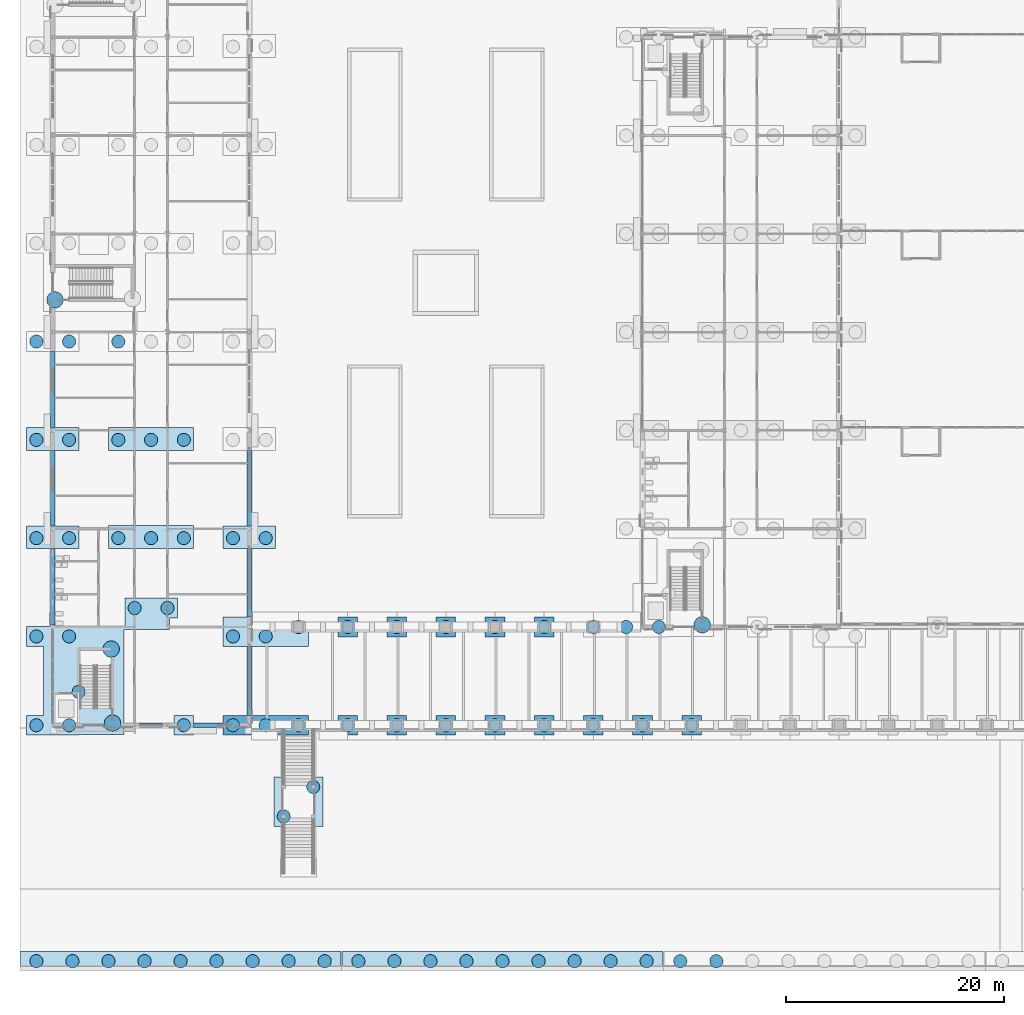
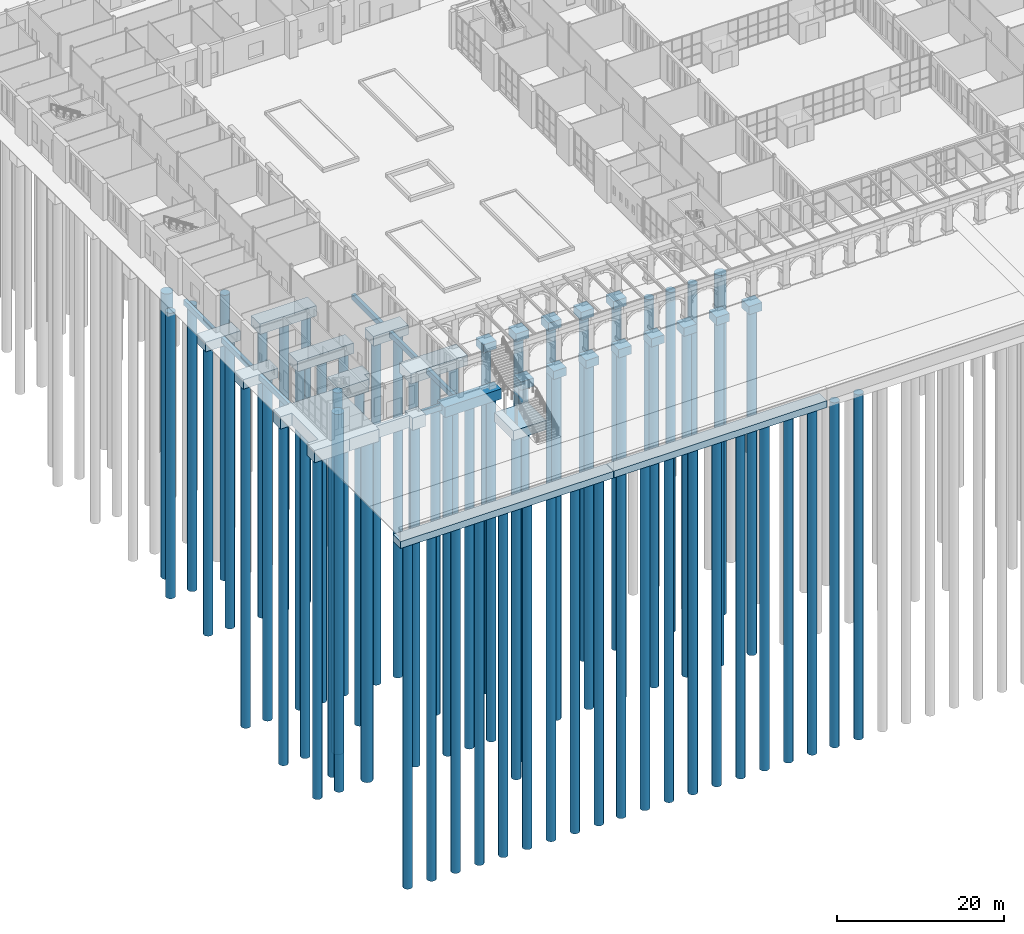
# One storey, part 1 of 168: 71 piles, 31 footings.
"""IFC4 building model written with IfcOpenShell, lengths in metres."""

from ifc_helpers import new_model, si_unit, direction, frame, origin, origin_2d, place, context, subcontext, project, spatial, polyline, circle, outline, extrude, material, material_profile, profile_set, type_object, element, save


model = new_model("IFC4")

# Units and contexts
model_context = context("Model", 3, precision=1e-05, world=origin(), true_north=direction((0.0, 1.0)))
body_context = subcontext(model_context, "Body", "Model", "MODEL_VIEW")
ifc_project = project(units=[si_unit("LENGTHUNIT", "METRE"), si_unit("AREAUNIT", "SQUARE_METRE"), si_unit("VOLUMEUNIT", "CUBIC_METRE"), si_unit("PLANEANGLEUNIT", "RADIAN"), si_unit("MASSUNIT", "GRAM", prefix="KILO")], contexts=[model_context])

# Site, building, storey
site_placement = place(None, origin())
site = spatial("IfcSite", under=ifc_project, at=site_placement, CompositionType="ELEMENT")
building_placement = place(site_placement, origin())
building = spatial("IfcBuilding", under=site, at=building_placement, Name="Golden Quay Civic Hall", CompositionType="ELEMENT")
storey_placement = place(building_placement, origin())
storey = spatial("IfcBuildingStorey", under=building, at=storey_placement, Name="L00", CompositionType="ELEMENT", Elevation=0.0)

# Piles
ifc_material_1 = material(Name="Concrete C40/50", Category="concrete")
ifc_material_profile_1 = material_profile(ifc_material_1, circle(Radius=0.60009765625, at=origin_2d()), Name="RC D1200")
ifc_profile_set_1 = profile_set([ifc_material_profile_1], Name="Concrete C40/50")
pile_type_1 = type_object("IfcPileType", Name="Bored pile 1200", PredefinedType="BORED", material=ifc_profile_set_1)
for number, where, z_axis, x_axis, name in (
    (1, (-1.5, -9.0, -2.300048828125), (0.0, 0.0, -1.0), (1.0, 0.0, 0.0), "PL1 bored pile"),
    (2, (-1.5, -0.865966796875, -2.300048828125), (0.0, 0.0, -1.0), (1.0, 0.0, 0.0), "PL1 bored pile"),
    (3, (1.5, -9.0, -2.300048828125), (0.0, 0.0, -1.0), (1.0, 0.0, 0.0), "PL1 bored pile"),
    (4, (1.5, -0.865966796875, -2.300048828125), (0.0, 0.0, -1.0), (1.0, 0.0, 0.0), "PL1 bored pile"),
    (5, (2.375, -5.949951171875, -2.300048828125), (0.0, 0.0, -1.0), (1.0, 0.0, 0.0), "PL1 bored pile"),
    (6, (7.5, 1.73193359375, -2.300048828125), (0.0, 0.0, -1.0), (1.0, 0.0, 0.0), "PL1 bored pile"),
    (7, (10.5, 1.73193359375, -2.300048828125), (0.0, 0.0, -1.0), (1.0, 0.0, 0.0), "PL1 bored pile"),
    (8, (12.0, -9.0, -2.300048828125), (0.0, 0.0, -1.0), (1.0, 0.0, 0.0), "PL1 bored pile"),
):
    element("IfcPile", number, at=place(storey_placement, frame(where, z_axis=z_axis, x_axis=x_axis)), inside=storey, type_object=pile_type_1, Name=name, PredefinedType="BORED", context=body_context, shape_type="SweptSolid", body=[
        extrude(circle(Radius=0.60009765625, at=origin_2d()), origin(), (0.0, 0.0, 1.0), 49.699951171875),
    ])
for number, where, z_axis, x_axis, name in (
    (9, (-1.5, 8.134033203125, -1.89990234375), (0.0, 0.0, -1.0), (1.0, 0.0, 0.0), "PL1 bored pile"),
    (10, (1.5, 8.134033203125, -1.89990234375), (0.0, 0.0, -1.0), (1.0, 0.0, 0.0), "PL1 bored pile"),
):
    element("IfcPile", number, at=place(storey_placement, frame(where, z_axis=z_axis, x_axis=x_axis)), inside=storey, type_object=pile_type_1, Name=name, PredefinedType="BORED", context=body_context, shape_type="SweptSolid", body=[
        extrude(circle(Radius=0.60009765625, at=origin_2d()), origin(), (0.0, 0.0, 1.0), 50.10009765625),
    ])
for number, where, z_axis, x_axis, name in (
    (11, (-1.5, 17.134033203125, -1.89990234375), (0.0, 0.0, -1.0), (1.0, 0.0, 0.0), "PL1 bored pile"),
    (12, (1.5, 17.134033203125, -1.89990234375), (0.0, 0.0, -1.0), (1.0, 0.0, 0.0), "PL1 bored pile"),
):
    element("IfcPile", number, at=place(storey_placement, frame(where, z_axis=z_axis, x_axis=x_axis)), inside=storey, type_object=pile_type_1, Name=name, PredefinedType="BORED", context=body_context, shape_type="SweptSolid", body=[
        extrude(circle(Radius=0.60009765625, at=origin_2d()), origin(), (0.0, 0.0, 1.0), 42.10009765625),
    ])
for number, where, z_axis, x_axis, name in (
    (13, (-1.5, 26.134033203125, -2.300048828125), (0.0, 0.0, -1.0), (1.0, 0.0, 0.0), "PL1 bored pile"),
    (14, (1.5, 26.134033203125, -2.300048828125), (0.0, 0.0, -1.0), (1.0, 0.0, 0.0), "PL1 bored pile"),
    (15, (6.0, 26.134033203125, -2.300048828125), (0.0, 0.0, -1.0), (1.0, 0.0, 0.0), "PL1 bored pile"),
):
    element("IfcPile", number, at=place(storey_placement, frame(where, z_axis=z_axis, x_axis=x_axis)), inside=storey, type_object=pile_type_1, Name=name, PredefinedType="BORED", context=body_context, shape_type="SweptSolid", body=[
        extrude(circle(Radius=0.60009765625, at=origin_2d()), origin(), (0.0, 0.0, 1.0), 41.699951171875),
    ])
for number, where, z_axis, x_axis, name in (
    (16, (6.0, 8.134033203125, -2.0), (0.0, 0.0, -1.0), (1.0, 0.0, 0.0), "PL1 bored pile"),
    (17, (9.0, 8.134033203125, -2.0), (0.0, 0.0, -1.0), (1.0, 0.0, 0.0), "PL1 bored pile"),
    (18, (12.0, 8.134033203125, -2.0), (0.0, 0.0, -1.0), (1.0, 0.0, 0.0), "PL1 bored pile"),
):
    element("IfcPile", number, at=place(storey_placement, frame(where, z_axis=z_axis, x_axis=x_axis)), inside=storey, type_object=pile_type_1, Name=name, PredefinedType="BORED", context=body_context, shape_type="SweptSolid", body=[
        extrude(circle(Radius=0.60009765625, at=origin_2d()), origin(), (0.0, 0.0, 1.0), 50.0),
    ])
for number, where, z_axis, x_axis, name in (
    (19, (6.0, 17.134033203125, -2.0), (0.0, 0.0, -1.0), (1.0, 0.0, 0.0), "PL1 bored pile"),
    (20, (9.0, 17.134033203125, -2.0), (0.0, 0.0, -1.0), (1.0, 0.0, 0.0), "PL1 bored pile"),
    (21, (12.0, 17.134033203125, -2.0), (0.0, 0.0, -1.0), (1.0, 0.0, 0.0), "PL1 bored pile"),
):
    element("IfcPile", number, at=place(storey_placement, frame(where, z_axis=z_axis, x_axis=x_axis)), inside=storey, type_object=pile_type_1, Name=name, PredefinedType="BORED", context=body_context, shape_type="SweptSolid", body=[
        extrude(circle(Radius=0.60009765625, at=origin_2d()), origin(), (0.0, 0.0, 1.0), 42.0),
    ])
for number, where, z_axis, x_axis, name in (
    (22, (16.5, -9.0, -2.0), (0.0, 0.0, -1.0), (1.0, 0.0, 0.0), "PL1 bored pile"),
    (23, (19.5, -9.0, -2.0), (0.0, 0.0, -1.0), (1.0, 0.0, 0.0), "PL1 bored pile"),
    (24, (22.5, -9.0, -2.0), (0.0, 0.0, -1.0), (1.0, 0.0, 0.0), "PL1 bored pile"),
    (25, (16.5, -0.865966796875, -2.0), (0.0, 0.0, -1.0), (1.0, 0.0, 0.0), "PL1 bored pile"),
    (26, (19.5, -0.865966796875, -2.0), (0.0, 0.0, -1.0), (1.0, 0.0, 0.0), "PL1 bored pile"),
    (27, (22.5, 0.0, -2.0), (0.0, 0.0, -1.0), (1.0, 0.0, 0.0), "PL1 bored pile"),
):
    element("IfcPile", number, at=place(storey_placement, frame(where, z_axis=z_axis, x_axis=x_axis)), inside=storey, type_object=pile_type_1, Name=name, PredefinedType="BORED", context=body_context, shape_type="SweptSolid", body=[
        extrude(circle(Radius=0.60009765625, at=origin_2d()), origin(), (0.0, 0.0, 1.0), 50.0),
    ])
for number, where, z_axis, x_axis, name in (
    (28, (16.5, 8.134033203125, -1.89990234375), (0.0, 0.0, -1.0), (1.0, 0.0, 0.0), "PL1 bored pile"),
    (29, (19.5, 8.134033203125, -1.89990234375), (0.0, 0.0, -1.0), (1.0, 0.0, 0.0), "PL1 bored pile"),
):
    element("IfcPile", number, at=place(storey_placement, frame(where, z_axis=z_axis, x_axis=x_axis)), inside=storey, type_object=pile_type_1, Name=name, PredefinedType="BORED", context=body_context, shape_type="SweptSolid", body=[
        extrude(circle(Radius=0.60009765625, at=origin_2d()), origin(), (0.0, 0.0, 1.0), 50.10009765625),
    ])
for number, where, z_axis, x_axis, name in (
    (30, (27.0, -9.0, -1.699951171875), (0.0, 0.0, -1.0), (1.0, 0.0, 0.0), "PL1 bored pile"),
    (31, (27.0, 0.0, -1.699951171875), (0.0, 0.0, -1.0), (1.0, 0.0, 0.0), "PL1 bored pile"),
    (32, (31.5, -9.0, -1.699951171875), (0.0, 0.0, -1.0), (1.0, 0.0, 0.0), "PL1 bored pile"),
    (33, (31.5, 0.0, -1.699951171875), (0.0, 0.0, -1.0), (1.0, 0.0, 0.0), "PL1 bored pile"),
    (34, (36.0, -9.0, -1.699951171875), (0.0, 0.0, -1.0), (1.0, 0.0, 0.0), "PL1 bored pile"),
    (35, (36.0, 0.0, -1.699951171875), (0.0, 0.0, -1.0), (1.0, 0.0, 0.0), "PL1 bored pile"),
    (36, (40.5, -9.0, -1.699951171875), (0.0, 0.0, -1.0), (1.0, 0.0, 0.0), "PL1 bored pile"),
    (37, (40.5, 0.0, -1.699951171875), (0.0, 0.0, -1.0), (1.0, 0.0, 0.0), "PL1 bored pile"),
    (38, (45.0, -9.0, -1.699951171875), (0.0, 0.0, -1.0), (1.0, 0.0, 0.0), "PL1 bored pile"),
    (39, (45.0, 0.0, -1.699951171875), (0.0, 0.0, -1.0), (1.0, 0.0, 0.0), "PL1 bored pile"),
    (40, (49.5, -9.0, -1.699951171875), (0.0, 0.0, -1.0), (1.0, 0.0, 0.0), "PL1 bored pile"),
):
    element("IfcPile", number, at=place(storey_placement, frame(where, z_axis=z_axis, x_axis=x_axis)), inside=storey, type_object=pile_type_1, Name=name, PredefinedType="BORED", context=body_context, shape_type="SweptSolid", body=[
        extrude(circle(Radius=0.60009765625, at=origin_2d()), origin(), (0.0, 0.0, 1.0), 50.300048828125),
    ])
for number, where, z_axis, x_axis, name in (
    (41, (49.5, 0.0, -2.300048828125), (0.0, 0.0, -1.0), (1.0, 0.0, 0.0), "PL1 bored pile"),
    (42, (52.5, 0.0, -2.300048828125), (0.0, 0.0, -1.0), (1.0, 0.0, 0.0), "PL1 bored pile"),
    (43, (55.5, 0.0, -2.300048828125), (0.0, 0.0, -1.0), (1.0, 0.0, 0.0), "PL1 bored pile"),
):
    element("IfcPile", number, at=place(storey_placement, frame(where, z_axis=z_axis, x_axis=x_axis)), inside=storey, type_object=pile_type_1, Name=name, PredefinedType="BORED", context=body_context, shape_type="SweptSolid", body=[
        extrude(circle(Radius=0.60009765625, at=origin_2d()), origin(), (0.0, 0.0, 1.0), 49.699951171875),
    ])
for number, where, z_axis, x_axis, name in (
    (44, (54.0, -9.0, -1.699951171875), (0.0, 0.0, -1.0), (1.0, 0.0, 0.0), "PL1 bored pile"),
    (45, (58.5, -9.0, -1.699951171875), (0.0, 0.0, -1.0), (1.0, 0.0, 0.0), "PL1 bored pile"),
):
    element("IfcPile", number, at=place(storey_placement, frame(where, z_axis=z_axis, x_axis=x_axis)), inside=storey, type_object=pile_type_1, Name=name, PredefinedType="BORED", context=body_context, shape_type="SweptSolid", body=[
        extrude(circle(Radius=0.60009765625, at=origin_2d()), origin(), (0.0, 0.0, 1.0), 50.300048828125),
    ])
for number, where, z_axis, x_axis, name in (
    (46, (-1.5, -30.60009765625, -1.60009765625), (0.0, 0.0, -1.0), (1.0, 0.0, 0.0), "PL1 bored pile"),
    (47, (1.800048828125, -30.60009765625, -1.60009765625), (0.0, 0.0, -1.0), (1.0, 0.0, 0.0), "PL1 bored pile"),
    (48, (5.10009765625, -30.60009765625, -1.60009765625), (0.0, 0.0, -1.0), (1.0, 0.0, 0.0), "PL1 bored pile"),
    (49, (8.39990234375, -30.60009765625, -1.60009765625), (0.0, 0.0, -1.0), (1.0, 0.0, 0.0), "PL1 bored pile"),
    (50, (11.699951171875, -30.60009765625, -1.60009765625), (0.0, 0.0, -1.0), (1.0, 0.0, 0.0), "PL1 bored pile"),
    (51, (15.0, -30.60009765625, -1.60009765625), (0.0, 0.0, -1.0), (1.0, 0.0, 0.0), "PL1 bored pile"),
    (52, (18.300048828125, -30.60009765625, -1.60009765625), (0.0, 0.0, -1.0), (1.0, 0.0, 0.0), "PL1 bored pile"),
    (53, (21.60009765625, -30.60009765625, -1.60009765625), (0.0, 0.0, -1.0), (1.0, 0.0, 0.0), "PL1 bored pile"),
    (54, (24.89990234375, -30.60009765625, -1.60009765625), (0.0, 0.0, -1.0), (1.0, 0.0, 0.0), "PL1 bored pile"),
    (55, (27.97998046875, -30.60009765625, -1.60009765625), (0.0, 0.0, -1.0), (1.0, 0.0, 0.0), "PL1 bored pile"),
    (56, (31.280029296875, -30.60009765625, -1.60009765625), (0.0, 0.0, -1.0), (1.0, 0.0, 0.0), "PL1 bored pile"),
    (57, (34.580078125, -30.60009765625, -1.60009765625), (0.0, 0.0, -1.0), (1.0, 0.0, 0.0), "PL1 bored pile"),
    (58, (37.8798828125, -30.60009765625, -1.60009765625), (0.0, 0.0, -1.0), (1.0, 0.0, 0.0), "PL1 bored pile"),
    (59, (41.179931640625, -30.60009765625, -1.60009765625), (0.0, 0.0, -1.0), (1.0, 0.0, 0.0), "PL1 bored pile"),
    (60, (44.47998046875, -30.60009765625, -1.60009765625), (0.0, 0.0, -1.0), (1.0, 0.0, 0.0), "PL1 bored pile"),
    (61, (47.780029296875, -30.60009765625, -1.60009765625), (0.0, 0.0, -1.0), (1.0, 0.0, 0.0), "PL1 bored pile"),
    (62, (51.080078125, -30.60009765625, -1.60009765625), (0.0, 0.0, -1.0), (1.0, 0.0, 0.0), "PL1 bored pile"),
    (63, (54.3798828125, -30.60009765625, -1.60009765625), (0.0, 0.0, -1.0), (1.0, 0.0, 0.0), "PL1 bored pile"),
    (64, (57.4599609375, -30.60009765625, -1.60009765625), (0.0, 0.0, -1.0), (1.0, 0.0, 0.0), "PL1 bored pile"),
    (65, (60.760009765625, -30.60009765625, -1.60009765625), (0.0, 0.0, -1.0), (1.0, 0.0, 0.0), "PL1 bored pile"),
):
    element("IfcPile", number, at=place(storey_placement, frame(where, z_axis=z_axis, x_axis=x_axis)), inside=storey, type_object=pile_type_1, Name=name, PredefinedType="BORED", context=body_context, shape_type="SweptSolid", body=[
        extrude(circle(Radius=0.60009765625, at=origin_2d()), origin(), (0.0, 0.0, 1.0), 50.39990234375),
    ])
for number, where, z_axis, x_axis, name in (
    (66, (21.14990234375, -17.35009765625, -1.89990234375), (0.0, 0.0, -1.0), (1.0, 0.0, 0.0), "PL1 bored pile"),
    (67, (23.85009765625, -14.64990234375, -1.89990234375), (0.0, 0.0, -1.0), (1.0, 0.0, 0.0), "PL1 bored pile"),
):
    element("IfcPile", number, at=place(storey_placement, frame(where, z_axis=z_axis, x_axis=x_axis)), inside=storey, type_object=pile_type_1, Name=name, PredefinedType="BORED", context=body_context, shape_type="SweptSolid", body=[
        extrude(circle(Radius=0.60009765625, at=origin_2d()), origin(), (0.0, 0.0, 1.0), 50.10009765625),
    ])
ifc_material_2 = material(Name="Concrete C40/50", Category="concrete")
ifc_material_profile_2 = material_profile(ifc_material_2, circle(Radius=0.75, at=origin_2d()), Name="RC D1500")
ifc_profile_set_2 = profile_set([ifc_material_profile_2], Name="Concrete C40/50")
pile_type_2 = type_object("IfcPileType", Name="Bored pile 1500", PredefinedType="BORED", material=ifc_profile_set_2)
for number, where, z_axis, x_axis, name in (
    (68, (5.35009765625, -2.02490234375, -2.300048828125), (0.0, 0.0, -1.0), (1.0, 0.0, 0.0), "PL2 bored pile"),
    (69, (5.47509765625, -8.800048828125, -2.300048828125), (0.0, 0.0, -1.0), (1.0, 0.0, 0.0), "PL2 bored pile"),
):
    element("IfcPile", number, at=place(storey_placement, frame(where, z_axis=z_axis, x_axis=x_axis)), inside=storey, type_object=pile_type_2, Name=name, PredefinedType="BORED", context=body_context, shape_type="SweptSolid", body=[
        extrude(circle(Radius=0.75, at=origin_2d()), origin(), (0.0, 0.0, 1.0), 49.699951171875),
    ])
pile_1_placement = place(storey_placement, frame((0.199951171875, 29.949951171875, -2.300048828125), z_axis=(0.0, 0.0, -1.0), x_axis=(1.0, 0.0, 0.0)))
element("IfcPile", 70, at=pile_1_placement, inside=storey, type_object=pile_type_2, Name="PL2 bored pile", PredefinedType="BORED", context=body_context, shape_type="SweptSolid", body=[
    extrude(circle(Radius=0.75, at=origin_2d()), origin(), (0.0, 0.0, 1.0), 41.699951171875),
])
pile_2_placement = place(storey_placement, frame((59.47509765625, 0.199951171875, -2.300048828125), z_axis=(0.0, 0.0, -1.0), x_axis=(1.0, 0.0, 0.0)))
element("IfcPile", 71, at=pile_2_placement, inside=storey, type_object=pile_type_2, Name="PL2 bored pile", PredefinedType="BORED", context=body_context, shape_type="SweptSolid", body=[
    extrude(circle(Radius=0.75, at=origin_2d()), origin(), (0.0, 0.0, 1.0), 49.699951171875),
])

# Footings
ifc_material_3 = material(Name="Concrete C40/50", Category="concrete")
footing_type_1 = type_object("IfcFootingType", Name="Ground beam 450 x 800", PredefinedType="FOOTING_BEAM", material=ifc_material_3)
footing_1_placement = place(storey_placement, frame((0.0, 0.0, -1.39990234375)))
element("IfcFooting", 72, at=footing_1_placement, inside=storey, type_object=footing_type_1, Name="F15 ground beam", PredefinedType="FOOTING_BEAM", context=body_context, shape_type="SweptSolid", body=[
    extrude(outline(polyline([(18.22509765625, -8.10009765625), (17.77490234375, -8.10009765625), (17.77490234375, -1.782958984375), (18.22509765625, -1.782958984375), (18.22509765625, -8.10009765625)])), origin(), (0.0, 0.0, 1.0), 0.7998046875),
])
footing_2_placement = place(storey_placement, frame((0.0, 0.0, -1.39990234375)))
element("IfcFooting", 73, at=footing_2_placement, inside=storey, type_object=footing_type_1, Name="F15 ground beam", PredefinedType="FOOTING_BEAM", context=body_context, shape_type="SweptSolid", body=[
    extrude(outline(polyline([(18.22509765625, 0.9169921875), (17.77490234375, 0.9169921875), (17.77490234375, 7.1669921875), (18.22509765625, 7.1669921875), (18.22509765625, 0.9169921875)])), origin(), (0.0, 0.0, 1.0), 0.7998046875),
])
footing_3_placement = place(storey_placement, frame((0.0, 0.0, -1.39990234375)))
element("IfcFooting", 74, at=footing_3_placement, inside=storey, type_object=footing_type_1, Name="F15 ground beam", PredefinedType="FOOTING_BEAM", context=body_context, shape_type="SweptSolid", body=[
    extrude(outline(polyline([(18.22509765625, 9.26708984375), (17.77490234375, 9.26708984375), (17.77490234375, 16.1669921875), (18.22509765625, 16.1669921875), (18.22509765625, 9.26708984375)])), origin(), (0.0, 0.0, 1.0), 0.7998046875),
])
footing_4_placement = place(storey_placement, frame((0.0, 0.0, -1.39990234375)))
element("IfcFooting", 75, at=footing_4_placement, inside=storey, type_object=footing_type_1, Name="F15 ground beam", PredefinedType="FOOTING_BEAM", context=body_context, shape_type="SweptSolid", body=[
    extrude(outline(polyline([(12.89990234375, -9.22509765625), (12.89990234375, -8.77490234375), (15.60009765625, -8.77490234375), (15.60009765625, -9.22509765625), (12.89990234375, -9.22509765625)])), origin(), (0.0, 0.0, 1.0), 0.7998046875),
])
footing_5_placement = place(storey_placement, frame((0.0, 0.0, -1.39990234375)))
element("IfcFooting", 76, at=footing_5_placement, inside=storey, type_object=footing_type_1, Name="F15 ground beam", PredefinedType="FOOTING_BEAM", context=body_context, shape_type="SweptSolid", body=[
    extrude(outline(polyline([(-0.22509765625, 7.1669921875), (0.22509765625, 7.1669921875), (0.22509765625, 0.199951171875), (-0.22509765625, 0.199951171875), (-0.22509765625, 7.1669921875)])), origin(), (0.0, 0.0, 1.0), 0.7998046875),
])
footing_6_placement = place(storey_placement, frame((0.0, 0.0, -1.39990234375)))
element("IfcFooting", 77, at=footing_6_placement, inside=storey, type_object=footing_type_1, Name="F15 ground beam", PredefinedType="FOOTING_BEAM", context=body_context, shape_type="SweptSolid", body=[
    extrude(outline(polyline([(-0.22509765625, 16.1669921875), (0.22509765625, 16.1669921875), (0.22509765625, 9.26708984375), (-0.22509765625, 9.26708984375), (-0.22509765625, 16.1669921875)])), origin(), (0.0, 0.0, 1.0), 0.7998046875),
])
footing_7_placement = place(storey_placement, frame((0.0, 0.0, -1.39990234375)))
element("IfcFooting", 78, at=footing_7_placement, inside=storey, type_object=footing_type_1, Name="F15 ground beam", PredefinedType="FOOTING_BEAM", context=body_context, shape_type="SweptSolid", body=[
    extrude(outline(polyline([(-0.22509765625, 25.23388671875), (0.22509765625, 25.23388671875), (0.22509765625, 18.26708984375), (-0.22509765625, 18.26708984375), (-0.22509765625, 25.23388671875)])), origin(), (0.0, 0.0, 1.0), 0.7998046875),
])
ifc_material_4 = material(Name="Concrete C40/50", Category="concrete")
footing_type_2 = type_object("IfcFootingType", Name="Pile cap 1 pile 1800 x 1800 x 1200", PredefinedType="PILE_CAP", material=ifc_material_4)
footing_8_placement = place(storey_placement, frame((0.0, 0.0, -1.800048828125)))
element("IfcFooting", 79, at=footing_8_placement, inside=storey, type_object=footing_type_2, Name="F10 pile cap", PredefinedType="PILE_CAP", context=body_context, shape_type="SweptSolid", body=[
    extrude(outline(polyline([(27.89990234375, -9.89990234375), (27.89990234375, -8.10009765625), (26.10009765625, -8.10009765625), (26.10009765625, -9.89990234375), (27.89990234375, -9.89990234375)])), origin(), (0.0, 0.0, 1.0), 1.199951171875),
])
footing_9_placement = place(storey_placement, frame((0.0, 0.0, -1.800048828125)))
element("IfcFooting", 80, at=footing_9_placement, inside=storey, type_object=footing_type_2, Name="F10 pile cap", PredefinedType="PILE_CAP", context=body_context, shape_type="SweptSolid", body=[
    extrude(outline(polyline([(27.89990234375, -0.89990234375), (27.89990234375, 0.89990234375), (26.10009765625, 0.89990234375), (26.10009765625, -0.89990234375), (27.89990234375, -0.89990234375)])), origin(), (0.0, 0.0, 1.0), 1.199951171875),
])
footing_10_placement = place(storey_placement, frame((0.0, 0.0, -1.800048828125)))
element("IfcFooting", 81, at=footing_10_placement, inside=storey, type_object=footing_type_2, Name="F10 pile cap", PredefinedType="PILE_CAP", context=body_context, shape_type="SweptSolid", body=[
    extrude(outline(polyline([(32.39990234375, -9.89990234375), (32.39990234375, -8.10009765625), (30.60009765625, -8.10009765625), (30.60009765625, -9.89990234375), (32.39990234375, -9.89990234375)])), origin(), (0.0, 0.0, 1.0), 1.199951171875),
])
footing_11_placement = place(storey_placement, frame((0.0, 0.0, -1.800048828125)))
element("IfcFooting", 82, at=footing_11_placement, inside=storey, type_object=footing_type_2, Name="F10 pile cap", PredefinedType="PILE_CAP", context=body_context, shape_type="SweptSolid", body=[
    extrude(outline(polyline([(32.39990234375, -0.89990234375), (32.39990234375, 0.89990234375), (30.60009765625, 0.89990234375), (30.60009765625, -0.89990234375), (32.39990234375, -0.89990234375)])), origin(), (0.0, 0.0, 1.0), 1.199951171875),
])
footing_12_placement = place(storey_placement, frame((0.0, 0.0, -1.800048828125)))
element("IfcFooting", 83, at=footing_12_placement, inside=storey, type_object=footing_type_2, Name="F10 pile cap", PredefinedType="PILE_CAP", context=body_context, shape_type="SweptSolid", body=[
    extrude(outline(polyline([(36.89990234375, -9.89990234375), (36.89990234375, -8.10009765625), (35.10009765625, -8.10009765625), (35.10009765625, -9.89990234375), (36.89990234375, -9.89990234375)])), origin(), (0.0, 0.0, 1.0), 1.199951171875),
])
footing_13_placement = place(storey_placement, frame((0.0, 0.0, -1.800048828125)))
element("IfcFooting", 84, at=footing_13_placement, inside=storey, type_object=footing_type_2, Name="F10 pile cap", PredefinedType="PILE_CAP", context=body_context, shape_type="SweptSolid", body=[
    extrude(outline(polyline([(36.89990234375, -0.89990234375), (36.89990234375, 0.89990234375), (35.10009765625, 0.89990234375), (35.10009765625, -0.89990234375), (36.89990234375, -0.89990234375)])), origin(), (0.0, 0.0, 1.0), 1.199951171875),
])
footing_14_placement = place(storey_placement, frame((0.0, 0.0, -1.800048828125)))
element("IfcFooting", 85, at=footing_14_placement, inside=storey, type_object=footing_type_2, Name="F10 pile cap", PredefinedType="PILE_CAP", context=body_context, shape_type="SweptSolid", body=[
    extrude(outline(polyline([(41.39990234375, -9.89990234375), (41.39990234375, -8.10009765625), (39.60009765625, -8.10009765625), (39.60009765625, -9.89990234375), (41.39990234375, -9.89990234375)])), origin(), (0.0, 0.0, 1.0), 1.199951171875),
])
footing_15_placement = place(storey_placement, frame((0.0, 0.0, -1.800048828125)))
element("IfcFooting", 86, at=footing_15_placement, inside=storey, type_object=footing_type_2, Name="F10 pile cap", PredefinedType="PILE_CAP", context=body_context, shape_type="SweptSolid", body=[
    extrude(outline(polyline([(41.39990234375, -0.89990234375), (41.39990234375, 0.89990234375), (39.60009765625, 0.89990234375), (39.60009765625, -0.89990234375), (41.39990234375, -0.89990234375)])), origin(), (0.0, 0.0, 1.0), 1.199951171875),
])
footing_16_placement = place(storey_placement, frame((0.0, 0.0, -1.800048828125)))
element("IfcFooting", 87, at=footing_16_placement, inside=storey, type_object=footing_type_2, Name="F10 pile cap", PredefinedType="PILE_CAP", context=body_context, shape_type="SweptSolid", body=[
    extrude(outline(polyline([(45.89990234375, -9.89990234375), (45.89990234375, -8.10009765625), (44.10009765625, -8.10009765625), (44.10009765625, -9.89990234375), (45.89990234375, -9.89990234375)])), origin(), (0.0, 0.0, 1.0), 1.199951171875),
])
footing_17_placement = place(storey_placement, frame((0.0, 0.0, -1.800048828125)))
element("IfcFooting", 88, at=footing_17_placement, inside=storey, type_object=footing_type_2, Name="F10 pile cap", PredefinedType="PILE_CAP", context=body_context, shape_type="SweptSolid", body=[
    extrude(outline(polyline([(45.89990234375, -0.89990234375), (45.89990234375, 0.89990234375), (44.10009765625, 0.89990234375), (44.10009765625, -0.89990234375), (45.89990234375, -0.89990234375)])), origin(), (0.0, 0.0, 1.0), 1.199951171875),
])
footing_18_placement = place(storey_placement, frame((0.0, 0.0, -1.800048828125)))
element("IfcFooting", 89, at=footing_18_placement, inside=storey, type_object=footing_type_2, Name="F10 pile cap", PredefinedType="PILE_CAP", context=body_context, shape_type="SweptSolid", body=[
    extrude(outline(polyline([(50.39990234375, -9.89990234375), (50.39990234375, -8.10009765625), (48.60009765625, -8.10009765625), (48.60009765625, -9.89990234375), (50.39990234375, -9.89990234375)])), origin(), (0.0, 0.0, 1.0), 1.199951171875),
])
footing_19_placement = place(storey_placement, frame((0.0, 0.0, -1.800048828125)))
element("IfcFooting", 90, at=footing_19_placement, inside=storey, type_object=footing_type_2, Name="F10 pile cap", PredefinedType="PILE_CAP", context=body_context, shape_type="SweptSolid", body=[
    extrude(outline(polyline([(54.89990234375, -9.89990234375), (54.89990234375, -8.10009765625), (53.10009765625, -8.10009765625), (53.10009765625, -9.89990234375), (54.89990234375, -9.89990234375)])), origin(), (0.0, 0.0, 1.0), 1.199951171875),
])
footing_20_placement = place(storey_placement, frame((0.0, 0.0, -1.800048828125)))
element("IfcFooting", 91, at=footing_20_placement, inside=storey, type_object=footing_type_2, Name="F10 pile cap", PredefinedType="PILE_CAP", context=body_context, shape_type="SweptSolid", body=[
    extrude(outline(polyline([(59.39990234375, -9.89990234375), (59.39990234375, -8.10009765625), (57.60009765625, -8.10009765625), (57.60009765625, -9.89990234375), (59.39990234375, -9.89990234375)])), origin(), (0.0, 0.0, 1.0), 1.199951171875),
])
ifc_material_5 = material(Name="Concrete C40/50", Category="concrete")
footing_type_3 = type_object("IfcFootingType", Name="Pile cap 2 piles 4500 x 4500 x 1400", PredefinedType="PILE_CAP", material=ifc_material_5)
footing_21_placement = place(storey_placement, frame((0.0, 0.0, -2.0)))
element("IfcFooting", 92, at=footing_21_placement, inside=storey, type_object=footing_type_3, Name="F14 pile cap", PredefinedType="PILE_CAP", context=body_context, shape_type="SweptSolid", body=[
    extrude(outline(polyline([(24.75, -18.25), (24.75, -13.75), (20.25, -13.75), (20.25, -18.25), (24.75, -18.25)])), origin(), (0.0, 0.0, 1.0), 1.39990234375),
])
ifc_material_6 = material(Name="Concrete C40/50", Category="concrete")
footing_type_4 = type_object("IfcFootingType", Name="Pile cap 2 piles 4800 x 2100 x 1400", PredefinedType="PILE_CAP", material=ifc_material_6)
footing_22_placement = place(storey_placement, frame((0.0, 0.0, -2.0)))
element("IfcFooting", 93, at=footing_22_placement, inside=storey, type_object=footing_type_4, Name="F2 pile cap", PredefinedType="PILE_CAP", context=body_context, shape_type="SweptSolid", body=[
    extrude(outline(polyline([(2.39990234375, 7.1669921875), (2.39990234375, 9.26708984375), (-2.39990234375, 9.26708984375), (-2.39990234375, 7.1669921875), (2.39990234375, 7.1669921875)])), origin(), (0.0, 0.0, 1.0), 1.39990234375),
])
footing_23_placement = place(storey_placement, frame((0.0, 0.0, -2.0)))
element("IfcFooting", 94, at=footing_23_placement, inside=storey, type_object=footing_type_4, Name="F2 pile cap", PredefinedType="PILE_CAP", context=body_context, shape_type="SweptSolid", body=[
    extrude(outline(polyline([(2.39990234375, 16.1669921875), (2.39990234375, 18.26708984375), (-2.39990234375, 18.26708984375), (-2.39990234375, 16.1669921875), (2.39990234375, 16.1669921875)])), origin(), (0.0, 0.0, 1.0), 1.39990234375),
])
footing_24_placement = place(storey_placement, frame((0.0, 0.0, -2.0)))
element("IfcFooting", 95, at=footing_24_placement, inside=storey, type_object=footing_type_4, Name="F2 pile cap", PredefinedType="PILE_CAP", context=body_context, shape_type="SweptSolid", body=[
    extrude(outline(polyline([(20.39990234375, 7.1669921875), (20.39990234375, 9.26708984375), (15.60009765625, 9.26708984375), (15.60009765625, 7.1669921875), (20.39990234375, 7.1669921875)])), origin(), (0.0, 0.0, 1.0), 1.39990234375),
])
ifc_material_7 = material(Name="Concrete C40/50", Category="concrete")
footing_type_5 = type_object("IfcFootingType", Name="Pile cap 3 piles 7800 x 1800 x 1500", PredefinedType="PILE_CAP", material=ifc_material_7)
footing_25_placement = place(storey_placement, frame((0.0, 0.0, -2.10009765625)))
element("IfcFooting", 96, at=footing_25_placement, inside=storey, type_object=footing_type_5, Name="F7 pile cap", PredefinedType="PILE_CAP", context=body_context, shape_type="SweptSolid", body=[
    extrude(outline(polyline([(23.39990234375, -9.89990234375), (23.39990234375, -8.10009765625), (15.60009765625, -8.10009765625), (15.60009765625, -9.89990234375), (23.39990234375, -9.89990234375)])), origin(), (0.0, 0.0, 1.0), 1.5),
])
ifc_material_8 = material(Name="Concrete C40/50", Category="concrete")
footing_type_6 = type_object("IfcFootingType", Name="Pile cap 3 piles 7800 x 2100 x 1500", PredefinedType="PILE_CAP", material=ifc_material_8)
footing_26_placement = place(storey_placement, frame((0.0, 0.0, -2.10009765625)))
element("IfcFooting", 97, at=footing_26_placement, inside=storey, type_object=footing_type_6, Name="F5 pile cap", PredefinedType="PILE_CAP", context=body_context, shape_type="SweptSolid", body=[
    extrude(outline(polyline([(12.89990234375, 7.181884765625), (12.89990234375, 9.281982421875), (5.10009765625, 9.281982421875), (5.10009765625, 7.181884765625), (12.89990234375, 7.181884765625)])), origin(), (0.0, 0.0, 1.0), 1.5),
])
footing_27_placement = place(storey_placement, frame((0.0, 0.0, -2.10009765625)))
element("IfcFooting", 98, at=footing_27_placement, inside=storey, type_object=footing_type_6, Name="F5 pile cap", PredefinedType="PILE_CAP", context=body_context, shape_type="SweptSolid", body=[
    extrude(outline(polyline([(12.89990234375, 16.181884765625), (12.89990234375, 18.281982421875), (5.10009765625, 18.281982421875), (5.10009765625, 16.181884765625), (12.89990234375, 16.181884765625)])), origin(), (0.0, 0.0, 1.0), 1.5),
])
ifc_material_9 = material(Name="Concrete C40/50", Category="concrete")
footing_type_7 = type_object("IfcFootingType", Name="Pile cap 3 piles 7800 x 2700 x 1500", PredefinedType="PILE_CAP", material=ifc_material_9)
footing_28_placement = place(storey_placement, frame((0.0, 0.0, -2.10009765625)))
element("IfcFooting", 99, at=footing_28_placement, inside=storey, type_object=footing_type_7, Name="F8 pile cap", PredefinedType="PILE_CAP", context=body_context, shape_type="SweptSolid", body=[
    extrude(outline(polyline([(23.39990234375, -1.782958984375), (23.39990234375, 0.9169921875), (15.60009765625, 0.9169921875), (15.60009765625, -1.782958984375), (23.39990234375, -1.782958984375)])), origin(), (0.0, 0.0, 1.0), 1.5),
])
ifc_material_10 = material(Name="Concrete C40/50", Category="concrete")
footing_type_8 = type_object("IfcFootingType", Name="Pile raft 1800 deep on 1500 mm piles", PredefinedType="PILE_CAP", material=ifc_material_10)
footing_29_placement = place(storey_placement, frame((0.0, 0.0, -2.39990234375)))
element("IfcFooting", 100, at=footing_29_placement, inside=storey, type_object=footing_type_8, Name="F1 pile cap", PredefinedType="PILE_CAP", context=body_context, shape_type="SweptSolid", body=[
    extrude(outline(polyline([(-2.39990234375, -8.10009765625), (-0.85009765625, -8.10009765625), (-0.85009765625, -1.76611328125), (-2.39990234375, -1.76611328125), (-2.39990234375, 0.033935546875), (-0.199951171875, 0.033935546875), (-0.199951171875, 0.199951171875), (0.199951171875, 0.199951171875), (0.199951171875, 0.033935546875), (6.60009765625, 0.033935546875), (6.60009765625, 2.632080078125), (11.39990234375, 2.632080078125), (11.39990234375, 0.83203125), (10.699951171875, 0.83203125), (10.699951171875, -0.22998046875), (6.52490234375, -0.22998046875), (6.52490234375, -8.800048828125), (11.10009765625, -8.800048828125), (11.10009765625, -8.10009765625), (12.89990234375, -8.10009765625), (12.89990234375, -9.89990234375), (11.10009765625, -9.89990234375), (11.10009765625, -9.199951171875), (6.52490234375, -9.199951171875), (6.52490234375, -9.85009765625), (2.39990234375, -9.85009765625), (2.39990234375, -9.89990234375), (-2.39990234375, -9.89990234375), (-2.39990234375, -8.10009765625)])), origin(), (0.0, 0.0, 1.0), 1.7998046875),
])
ifc_material_11 = material(Name="Concrete C40/50", Category="concrete")
footing_type_9 = type_object("IfcFootingType", Name="Quay strip footing 1000 deep on 1200 mm piles", PredefinedType="STRIP_FOOTING", material=ifc_material_11)
footing_30_placement = place(storey_placement, frame((0.0, 0.0, -1.60009765625)))
element("IfcFooting", 101, at=footing_30_placement, inside=storey, type_object=footing_type_9, Name="Quay strip footing run 1", PredefinedType="STRIP_FOOTING", context=body_context, shape_type="SweptSolid", body=[
    extrude(outline(polyline([(-3.0, -31.5), (26.39990234375, -31.5), (26.39990234375, -29.699951171875), (-3.0, -29.699951171875), (-3.0, -31.5)])), origin(), (0.0, 0.0, 1.0), 1.0),
])
footing_31_placement = place(storey_placement, frame((0.0, 0.0, -1.60009765625)))
element("IfcFooting", 102, at=footing_31_placement, inside=storey, type_object=footing_type_9, Name="Quay strip footing run 2", PredefinedType="STRIP_FOOTING", context=body_context, shape_type="SweptSolid", body=[
    extrude(outline(polyline([(26.47998046875, -31.5), (55.8798828125, -31.5), (55.8798828125, -29.699951171875), (26.47998046875, -29.699951171875), (26.47998046875, -31.5)])), origin(), (0.0, 0.0, 1.0), 1.0),
])

save(model, "model.ifc")
